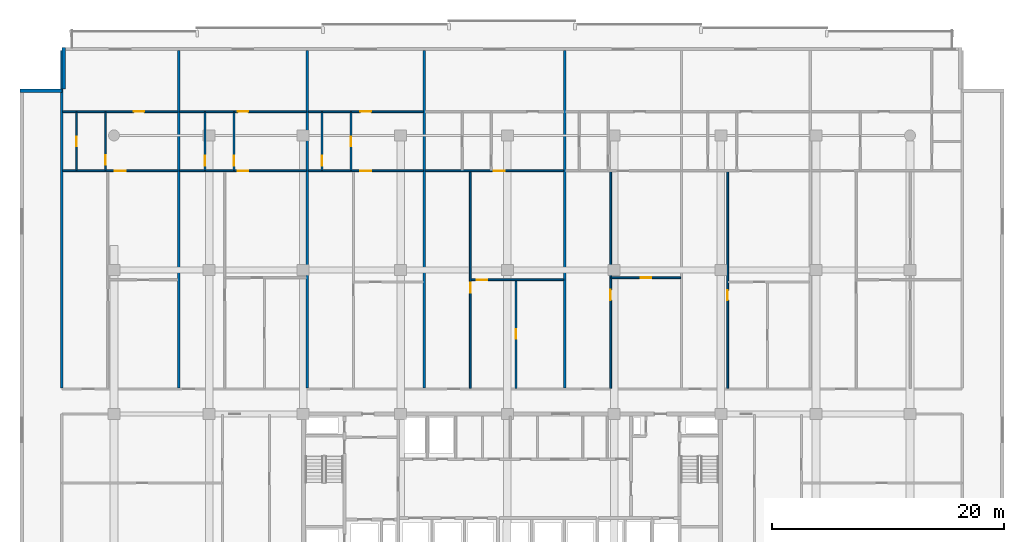
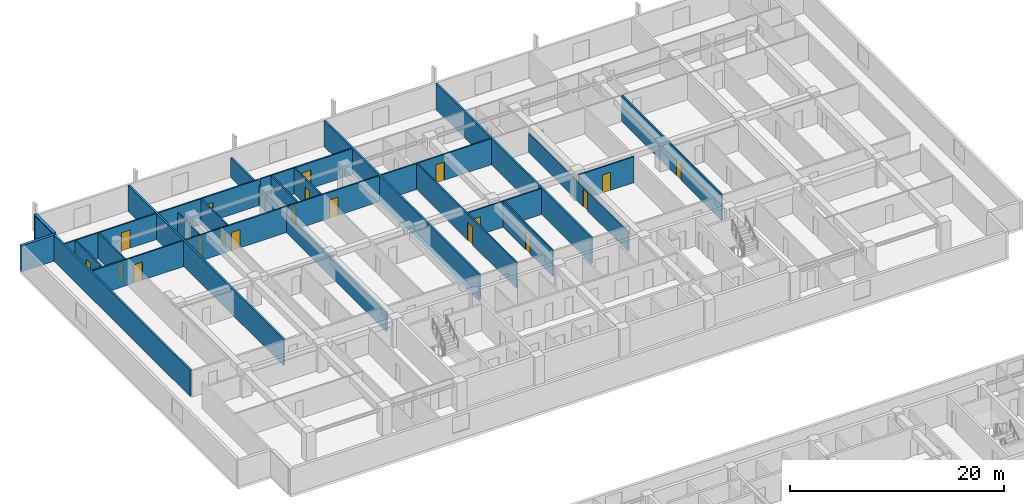
# One storey, part 14 of 23: 26 walls, 19 doors, 19 openings.
"""IFC4 building model written with IfcOpenShell, lengths in metres."""

from ifc_helpers import new_model, si_unit, direction, frame, frame_2d, origin, place, context, subcontext, project, spatial, rectangle, extrude, material, layer, layer_set, type_object, element, fill, save


model = new_model("IFC4")

# Units and contexts
model_context = context("Model", 3, precision=1e-05, world=origin(), true_north=direction((0.0, 1.0)))
body_context = subcontext(model_context, "Body", "Model", "MODEL_VIEW")
ifc_project = project(units=[si_unit("LENGTHUNIT", "METRE"), si_unit("AREAUNIT", "SQUARE_METRE"), si_unit("VOLUMEUNIT", "CUBIC_METRE"), si_unit("PLANEANGLEUNIT", "RADIAN"), si_unit("MASSUNIT", "GRAM", prefix="KILO")], contexts=[model_context])

# Site, building, storey
site_placement = place(None, origin())
site = spatial("IfcSite", under=ifc_project, at=site_placement, CompositionType="ELEMENT")
building_placement = place(site_placement, origin())
building = spatial("IfcBuilding", under=site, at=building_placement, Name="Korimba Cascade Residences", CompositionType="ELEMENT")
storey_placement = place(building_placement, frame((0.0, 0.0, 30.5)))
storey = spatial("IfcBuildingStorey", under=building, at=storey_placement, Name="L07", CompositionType="ELEMENT", Elevation=30.5)

# Walls
ifc_material_1 = material(Name="Precast concrete C40/50", Category="concrete")
ifc_layer_1 = layer(ifc_material_1, 0.300048828125)
ifc_layer_set_1 = layer_set([ifc_layer_1], Name="Precast concrete C40/50")
wall_type_1 = type_object("IfcWallType", Name="EW-STONE-300", PredefinedType="STANDARD", material=ifc_layer_set_1)
for number, where, z_axis, x_axis, name in (
    (1, (55.449951171875, 98.800048828125, 0.0), (0.0, 0.0, 1.0), (0.0, -1.0, 0.0), "L07 T1 Perimeter Stone Wall E07"),
    (2, (55.300048828125, 95.050048828125, 0.0), (0.0, 0.0, 1.0), (-1.0, 0.0, 0.0), "L07 T1 Perimeter Stone Wall E08"),
):
    element("IfcWall", number, at=place(storey_placement, frame(where, z_axis=z_axis, x_axis=x_axis)), inside=storey, type_object=wall_type_1, Name=name, PredefinedType="STANDARD", context=body_context, shape_type="SweptSolid", body=[
        extrude(rectangle(XDim=3.60009765625, YDim=0.300048828125, at=frame_2d((1.800048828125, 0.0))), origin(), (0.0, 0.0, 1.0), 2.969970703125),
    ])
ifc_layer_2 = layer(ifc_material_1, 0.199951171875)
ifc_layer_set_2 = layer_set([ifc_layer_2], Name="Precast concrete C40/50")
wall_type_2 = type_object("IfcWallType", Name="WAL-IT-200", PredefinedType="PARTITIONING", material=ifc_layer_set_2)
for number, where, z_axis, x_axis, name in (
    (3, (55.300048828125, 69.429931640625, 0.0), (0.0, 0.0, 1.0), (0.0, 1.0, 0.0), "L07 Partition Wall WAL-L07-T1-BNDWL"),
    (4, (65.3779296875, 69.429931640625, 0.0), (0.0, 0.0, 1.0), (0.0, 1.0, 0.0), "L07 Partition Wall WAL-L07-T1-DEM-1"),
):
    element("IfcWall", number, at=place(storey_placement, frame(where, z_axis=z_axis, x_axis=x_axis)), inside=storey, type_object=wall_type_2, Name=name, PredefinedType="PARTITIONING", context=body_context, shape_type="SweptSolid", body=[
        extrude(rectangle(XDim=29.070068359375, YDim=0.199951171875, at=frame_2d((14.53515625, 0.0))), origin(), (0.0, 0.0, 1.0), 2.969970703125),
    ])
wall_1_placement = place(storey_placement, frame((76.463623046875, 69.429931640625, 0.0), z_axis=(0.0, 0.0, 1.0), x_axis=(0.0, 1.0, 0.0)))
element("IfcWall", 5, at=wall_1_placement, inside=storey, type_object=wall_type_2, Name="L07 Partition Wall WAL-L07-T1-DEM-2", PredefinedType="PARTITIONING", context=body_context, shape_type="SweptSolid", body=[
    extrude(rectangle(XDim=29.070068359375, YDim=0.199951171875, at=frame_2d((14.53515625, 0.0))), origin(), (0.0, 0.0, 1.0), 2.219970703125),
])
for number, where, z_axis, x_axis, name in (
    (6, (86.54150390625, 69.429931640625, 0.0), (0.0, 0.0, 1.0), (0.0, 1.0, 0.0), "L07 Partition Wall WAL-L07-T1-DEM-3"),
    (7, (98.635009765625, 69.429931640625, 0.0), (0.0, 0.0, 1.0), (0.0, 1.0, 0.0), "L07 Partition Wall WAL-L07-T1-DEM-4"),
):
    element("IfcWall", number, at=place(storey_placement, frame(where, z_axis=z_axis, x_axis=x_axis)), inside=storey, type_object=wall_type_2, Name=name, PredefinedType="PARTITIONING", context=body_context, shape_type="SweptSolid", body=[
        extrude(rectangle(XDim=29.070068359375, YDim=0.199951171875, at=frame_2d((14.53515625, 0.0))), origin(), (0.0, 0.0, 1.0), 2.969970703125),
    ])

# Wall, opening, door
ifc_material_2 = material(Name="Insulated Acoustic Stud Partition", Category="gypsum")
ifc_layer_3 = layer(ifc_material_2, 0.14990234375)
ifc_layer_set_3 = layer_set([ifc_layer_3], Name="Insulated Acoustic Stud Partition")
wall_type_3 = type_object("IfcWallType", Name="WAL-PART-150", PredefinedType="PARTITIONING", material=ifc_layer_set_3)
wall_2_placement = place(storey_placement, frame((56.557861328125, 88.18994140625, 0.0), z_axis=(0.0, 0.0, 1.0), x_axis=(0.0, 1.0, 0.0)))
wall_2 = element("IfcWall", 8, at=wall_2_placement, inside=storey, type_object=wall_type_3, Name="L07 Partition Wall WAL-L07-T1-U01-CLS", PredefinedType="PARTITIONING", context=body_context, shape_type="SweptSolid", body=[
    extrude(rectangle(XDim=5.0, YDim=0.14990234375, at=frame_2d((2.5, 0.0))), origin(), (0.0, 0.0, 1.0), 2.969970703125),
])
opening_1_placement = place(wall_2_placement, frame((2.080078125, 0.0, 0.0)))
opening_1 = element("IfcOpeningElement", 9, at=opening_1_placement, cuts=wall_2, Name="Opening D-BT1", PredefinedType="OPENING", context=body_context, shape_type="SweptSolid", body=[
    extrude(rectangle(XDim=0.840087890625, YDim=2.0400390625, at=frame_2d((0.419921875, 1.02001953125))), frame((0.0, 0.0849609375, 0.0), z_axis=(0.0, -1.0, 0.0), x_axis=(1.0, 0.0, 0.0)), (0.0, 0.0, 1.0), 0.169921875),
])
ifc_material_3 = material(Name="Moisture-Resistant Bathroom Timber Door", Category="wood")
door_type_1 = type_object("IfcDoorType", Name="DR-INT-850", OperationType="NOTDEFINED", PredefinedType="DOOR", material=ifc_material_3)
door_1_placement = place(opening_1_placement, origin())
door_1 = element("IfcDoor", 10, at=door_1_placement, inside=storey, type_object=door_type_1, Name="L07-T1-U01 Closet Door", OperationType="SINGLE_SWING_RIGHT", OverallHeight=2.0400390625, OverallWidth=0.840087890625, PredefinedType="DOOR", context=body_context, shape_type="SweptSolid", body=[
    extrude(rectangle(XDim=0.840087890625, YDim=2.0400390625, at=frame_2d((0.419921875, 1.02001953125))), frame((0.0, 0.02490234375, 0.0), z_axis=(0.0, -1.0, 0.0), x_axis=(1.0, 0.0, 0.0)), (0.0, 0.0, 1.0), 0.050048828125),
])
fill(opening_1, door_1)

wall_3_placement = place(storey_placement, frame((59.057861328125, 88.18994140625, 0.0), z_axis=(0.0, 0.0, 1.0), x_axis=(0.0, 1.0, 0.0)))
wall_3 = element("IfcWall", 11, at=wall_3_placement, inside=storey, type_object=wall_type_3, Name="L07 Partition Wall WAL-L07-T1-U01-BM", PredefinedType="PARTITIONING", context=body_context, shape_type="SweptSolid", body=[
    extrude(rectangle(XDim=5.0, YDim=0.14990234375, at=frame_2d((2.5, 0.0))), origin(), (0.0, 0.0, 1.0), 2.969970703125),
])
opening_2_placement = place(wall_3_placement, frame((0.46728515625, 0.0, 0.0)))
opening_2 = element("IfcOpeningElement", 12, at=opening_2_placement, cuts=wall_3, Name="Opening D-BT1", PredefinedType="OPENING", context=body_context, shape_type="SweptSolid", body=[
    extrude(rectangle(XDim=0.840087890625, YDim=2.0400390625, at=frame_2d((0.419921875, 1.02001953125))), frame((0.0, 0.0849609375, 0.0), z_axis=(0.0, -1.0, 0.0), x_axis=(1.0, 0.0, 0.0)), (0.0, 0.0, 1.0), 0.169921875),
])
door_2_placement = place(opening_2_placement, origin())
door_2 = element("IfcDoor", 13, at=door_2_placement, inside=storey, type_object=door_type_1, Name="L07-T1-U01 Bathroom Door", OperationType="SINGLE_SWING_LEFT", OverallHeight=2.0400390625, OverallWidth=0.840087890625, PredefinedType="DOOR", context=body_context, shape_type="SweptSolid", body=[
    extrude(rectangle(XDim=0.840087890625, YDim=2.0400390625, at=frame_2d((0.419921875, 1.02001953125))), frame((0.0, 0.02490234375, 0.0), z_axis=(0.0, -1.0, 0.0), x_axis=(1.0, 0.0, 0.0)), (0.0, 0.0, 1.0), 0.050048828125),
])
fill(opening_2, door_2)

wall_4_placement = place(storey_placement, frame((55.3798828125, 88.14990234375, 0.0), z_axis=(0.0, 0.0, 1.0), x_axis=(1.0, 0.0, 0.0)))
wall_4 = element("IfcWall", 14, at=wall_4_placement, inside=storey, type_object=wall_type_3, Name="L07 Partition Wall WAL-L07-T1-U01-MW", PredefinedType="PARTITIONING", context=body_context, shape_type="SweptSolid", body=[
    extrude(rectangle(XDim=9.91796875, YDim=0.14990234375, at=frame_2d((4.958984375, 0.0))), origin(), (0.0, 0.0, 1.0), 2.969970703125),
])
opening_3_placement = place(wall_4_placement, frame((4.498779296875, 0.0, 0.0)))
opening_3 = element("IfcOpeningElement", 15, at=opening_3_placement, cuts=wall_4, Name="Opening D-IN1", PredefinedType="OPENING", context=body_context, shape_type="SweptSolid", body=[
    extrude(rectangle(XDim=0.919921875, YDim=2.080078125, at=frame_2d((0.4599609375, 1.0400390625))), frame((0.0, 0.0849609375, 0.0), z_axis=(0.0, -1.0, 0.0), x_axis=(1.0, 0.0, 0.0)), (0.0, 0.0, 1.0), 0.169921875),
])
ifc_material_4 = material(Name="Acoustic Timber Living Door", Category="wood")
door_type_2 = type_object("IfcDoorType", Name="DR-INT-920", OperationType="NOTDEFINED", PredefinedType="DOOR", material=ifc_material_4)
door_3_placement = place(opening_3_placement, origin())
door_3 = element("IfcDoor", 16, at=door_3_placement, inside=storey, type_object=door_type_2, Name="L07-T1-U01 Studio Kitchen Door", OperationType="SINGLE_SWING_RIGHT", OverallHeight=2.080078125, OverallWidth=0.919921875, PredefinedType="DOOR", context=body_context, shape_type="SweptSolid", body=[
    extrude(rectangle(XDim=0.919921875, YDim=2.080078125, at=frame_2d((0.4599609375, 1.0400390625))), frame((0.0, 0.02490234375, 0.0), z_axis=(0.0, -1.0, 0.0), x_axis=(1.0, 0.0, 0.0)), (0.0, 0.0, 1.0), 0.050048828125),
])
fill(opening_3, door_3)

wall_5_placement = place(storey_placement, frame((55.3798828125, 93.25, 0.0), z_axis=(0.0, 0.0, 1.0), x_axis=(1.0, 0.0, 0.0)))
wall_5 = element("IfcWall", 17, at=wall_5_placement, inside=storey, type_object=wall_type_3, Name="L07 Partition Wall WAL-L07-T1-U01-HZ", PredefinedType="PARTITIONING", context=body_context, shape_type="SweptSolid", body=[
    extrude(rectangle(XDim=9.91796875, YDim=0.14990234375, at=frame_2d((4.958984375, 0.0))), origin(), (0.0, 0.0, 1.0), 2.969970703125),
])
opening_4_placement = place(wall_5_placement, frame((6.126708984375, 0.0, 0.0)))
opening_4 = element("IfcOpeningElement", 18, at=opening_4_placement, cuts=wall_5, Name="Opening D-IN1", PredefinedType="OPENING", context=body_context, shape_type="SweptSolid", body=[
    extrude(rectangle(XDim=0.919921875, YDim=2.080078125, at=frame_2d((0.4599609375, 1.0400390625))), frame((0.0, 0.0849609375, 0.0), z_axis=(0.0, -1.0, 0.0), x_axis=(1.0, 0.0, 0.0)), (0.0, 0.0, 1.0), 0.169921875),
])
door_4_placement = place(opening_4_placement, origin())
door_4 = element("IfcDoor", 19, at=door_4_placement, inside=storey, type_object=door_type_2, Name="L07-T1-U01 Studio Door", OperationType="SINGLE_SWING_LEFT", OverallHeight=2.080078125, OverallWidth=0.919921875, PredefinedType="DOOR", context=body_context, shape_type="SweptSolid", body=[
    extrude(rectangle(XDim=0.919921875, YDim=2.080078125, at=frame_2d((0.4599609375, 1.0400390625))), frame((0.0, 0.02490234375, 0.0), z_axis=(0.0, -1.0, 0.0), x_axis=(1.0, 0.0, 0.0)), (0.0, 0.0, 1.0), 0.050048828125),
])
fill(opening_4, door_4)

wall_6_placement = place(storey_placement, frame((67.6435546875, 88.18994140625, 0.0), z_axis=(0.0, 0.0, 1.0), x_axis=(0.0, 1.0, 0.0)))
wall_6 = element("IfcWall", 20, at=wall_6_placement, inside=storey, type_object=wall_type_3, Name="L07 Partition Wall WAL-L07-T1-U02-CLS", PredefinedType="PARTITIONING", context=body_context, shape_type="SweptSolid", body=[
    extrude(rectangle(XDim=5.0, YDim=0.14990234375, at=frame_2d((2.5, 0.0))), origin(), (0.0, 0.0, 1.0), 2.219970703125),
])
opening_5_placement = place(wall_6_placement, frame((0.419189453125, 0.0, 0.0)))
opening_5 = element("IfcOpeningElement", 21, at=opening_5_placement, cuts=wall_6, Name="Opening D-BT1", PredefinedType="OPENING", context=body_context, shape_type="SweptSolid", body=[
    extrude(rectangle(XDim=0.840087890625, YDim=2.0400390625, at=frame_2d((0.419921875, 1.02001953125))), frame((0.0, 0.0849609375, 0.0), z_axis=(0.0, -1.0, 0.0), x_axis=(1.0, 0.0, 0.0)), (0.0, 0.0, 1.0), 0.169921875),
])
door_5_placement = place(opening_5_placement, origin())
door_5 = element("IfcDoor", 22, at=door_5_placement, inside=storey, type_object=door_type_1, Name="L07-T1-U02 Closet Door", OperationType="SINGLE_SWING_LEFT", OverallHeight=2.0400390625, OverallWidth=0.840087890625, PredefinedType="DOOR", context=body_context, shape_type="SweptSolid", body=[
    extrude(rectangle(XDim=0.840087890625, YDim=2.0400390625, at=frame_2d((0.419921875, 1.02001953125))), frame((0.0, 0.02490234375, 0.0), z_axis=(0.0, -1.0, 0.0), x_axis=(1.0, 0.0, 0.0)), (0.0, 0.0, 1.0), 0.050048828125),
])
fill(opening_5, door_5)

wall_7_placement = place(storey_placement, frame((70.1435546875, 88.18994140625, 0.0), z_axis=(0.0, 0.0, 1.0), x_axis=(0.0, 1.0, 0.0)))
wall_7 = element("IfcWall", 23, at=wall_7_placement, inside=storey, type_object=wall_type_3, Name="L07 Partition Wall WAL-L07-T1-U02-BM", PredefinedType="PARTITIONING", context=body_context, shape_type="SweptSolid", body=[
    extrude(rectangle(XDim=5.0, YDim=0.14990234375, at=frame_2d((2.5, 0.0))), origin(), (0.0, 0.0, 1.0), 2.969970703125),
])
opening_6_placement = place(wall_7_placement, frame((0.39990234375, 0.0, 0.0)))
opening_6 = element("IfcOpeningElement", 24, at=opening_6_placement, cuts=wall_7, Name="Opening D-BT1", PredefinedType="OPENING", context=body_context, shape_type="SweptSolid", body=[
    extrude(rectangle(XDim=0.840087890625, YDim=2.0400390625, at=frame_2d((0.419921875, 1.02001953125))), frame((0.0, 0.0849609375, 0.0), z_axis=(0.0, -1.0, 0.0), x_axis=(1.0, 0.0, 0.0)), (0.0, 0.0, 1.0), 0.169921875),
])
door_6_placement = place(opening_6_placement, origin())
door_6 = element("IfcDoor", 25, at=door_6_placement, inside=storey, type_object=door_type_1, Name="L07-T1-U02 Bathroom Door", OperationType="SINGLE_SWING_RIGHT", OverallHeight=2.0400390625, OverallWidth=0.840087890625, PredefinedType="DOOR", context=body_context, shape_type="SweptSolid", body=[
    extrude(rectangle(XDim=0.840087890625, YDim=2.0400390625, at=frame_2d((0.419921875, 1.02001953125))), frame((0.0, 0.02490234375, 0.0), z_axis=(0.0, -1.0, 0.0), x_axis=(1.0, 0.0, 0.0)), (0.0, 0.0, 1.0), 0.050048828125),
])
fill(opening_6, door_6)

wall_8_placement = place(storey_placement, frame((65.4580078125, 88.14990234375, 0.0), z_axis=(0.0, 0.0, 1.0), x_axis=(1.0, 0.0, 0.0)))
wall_8 = element("IfcWall", 26, at=wall_8_placement, inside=storey, type_object=wall_type_3, Name="L07 Partition Wall WAL-L07-T1-U02-MW", PredefinedType="PARTITIONING", context=body_context, shape_type="SweptSolid", body=[
    extrude(rectangle(XDim=10.925537109375, YDim=0.14990234375, at=frame_2d((5.462890625, 0.0))), origin(), (0.0, 0.0, 1.0), 2.969970703125),
])
opening_7_placement = place(wall_8_placement, frame((5.0029296875, 0.0, 0.0)))
opening_7 = element("IfcOpeningElement", 27, at=opening_7_placement, cuts=wall_8, Name="Opening D-IN1", PredefinedType="OPENING", context=body_context, shape_type="SweptSolid", body=[
    extrude(rectangle(XDim=0.919921875, YDim=2.080078125, at=frame_2d((0.4599609375, 1.0400390625))), frame((0.0, 0.0849609375, 0.0), z_axis=(0.0, -1.0, 0.0), x_axis=(1.0, 0.0, 0.0)), (0.0, 0.0, 1.0), 0.169921875),
])
door_7_placement = place(opening_7_placement, origin())
door_7 = element("IfcDoor", 28, at=door_7_placement, inside=storey, type_object=door_type_2, Name="L07-T1-U02 Studio Kitchen Door", OperationType="SINGLE_SWING_LEFT", OverallHeight=2.080078125, OverallWidth=0.919921875, PredefinedType="DOOR", context=body_context, shape_type="SweptSolid", body=[
    extrude(rectangle(XDim=0.919921875, YDim=2.080078125, at=frame_2d((0.4599609375, 1.0400390625))), frame((0.0, 0.02490234375, 0.0), z_axis=(0.0, -1.0, 0.0), x_axis=(1.0, 0.0, 0.0)), (0.0, 0.0, 1.0), 0.050048828125),
])
fill(opening_7, door_7)

wall_9_placement = place(storey_placement, frame((65.4580078125, 93.25, 0.0), z_axis=(0.0, 0.0, 1.0), x_axis=(1.0, 0.0, 0.0)))
wall_9 = element("IfcWall", 29, at=wall_9_placement, inside=storey, type_object=wall_type_3, Name="L07 Partition Wall WAL-L07-T1-U02-HZ", PredefinedType="PARTITIONING", context=body_context, shape_type="SweptSolid", body=[
    extrude(rectangle(XDim=10.925537109375, YDim=0.14990234375, at=frame_2d((5.462890625, 0.0))), origin(), (0.0, 0.0, 1.0), 2.969970703125),
])
opening_8_placement = place(wall_9_placement, frame((5.0029296875, 0.0, 0.0)))
opening_8 = element("IfcOpeningElement", 30, at=opening_8_placement, cuts=wall_9, Name="Opening D-IN1", PredefinedType="OPENING", context=body_context, shape_type="SweptSolid", body=[
    extrude(rectangle(XDim=0.919921875, YDim=2.080078125, at=frame_2d((0.4599609375, 1.0400390625))), frame((0.0, 0.0849609375, 0.0), z_axis=(0.0, -1.0, 0.0), x_axis=(1.0, 0.0, 0.0)), (0.0, 0.0, 1.0), 0.169921875),
])
door_8_placement = place(opening_8_placement, origin())
door_8 = element("IfcDoor", 31, at=door_8_placement, inside=storey, type_object=door_type_2, Name="L07-T1-U02 Studio Door", OperationType="SINGLE_SWING_RIGHT", OverallHeight=2.080078125, OverallWidth=0.919921875, PredefinedType="DOOR", context=body_context, shape_type="SweptSolid", body=[
    extrude(rectangle(XDim=0.919921875, YDim=2.080078125, at=frame_2d((0.4599609375, 1.0400390625))), frame((0.0, 0.02490234375, 0.0), z_axis=(0.0, -1.0, 0.0), x_axis=(1.0, 0.0, 0.0)), (0.0, 0.0, 1.0), 0.050048828125),
])
fill(opening_8, door_8)

wall_10_placement = place(storey_placement, frame((77.721435546875, 88.18994140625, 0.0), z_axis=(0.0, 0.0, 1.0), x_axis=(0.0, 1.0, 0.0)))
wall_10 = element("IfcWall", 32, at=wall_10_placement, inside=storey, type_object=wall_type_3, Name="L07 Partition Wall WAL-L07-T1-U03-CLS", PredefinedType="PARTITIONING", context=body_context, shape_type="SweptSolid", body=[
    extrude(rectangle(XDim=5.0, YDim=0.14990234375, at=frame_2d((2.5, 0.0))), origin(), (0.0, 0.0, 1.0), 2.969970703125),
])
opening_9_placement = place(wall_10_placement, frame((0.419189453125, 0.0, 0.0)))
opening_9 = element("IfcOpeningElement", 33, at=opening_9_placement, cuts=wall_10, Name="Opening D-BT1", PredefinedType="OPENING", context=body_context, shape_type="SweptSolid", body=[
    extrude(rectangle(XDim=0.840087890625, YDim=2.0400390625, at=frame_2d((0.419921875, 1.02001953125))), frame((0.0, 0.0849609375, 0.0), z_axis=(0.0, -1.0, 0.0), x_axis=(1.0, 0.0, 0.0)), (0.0, 0.0, 1.0), 0.169921875),
])
door_9_placement = place(opening_9_placement, origin())
door_9 = element("IfcDoor", 34, at=door_9_placement, inside=storey, type_object=door_type_1, Name="L07-T1-U03 Closet Door", OperationType="SINGLE_SWING_LEFT", OverallHeight=2.0400390625, OverallWidth=0.840087890625, PredefinedType="DOOR", context=body_context, shape_type="SweptSolid", body=[
    extrude(rectangle(XDim=0.840087890625, YDim=2.0400390625, at=frame_2d((0.419921875, 1.02001953125))), frame((0.0, 0.02490234375, 0.0), z_axis=(0.0, -1.0, 0.0), x_axis=(1.0, 0.0, 0.0)), (0.0, 0.0, 1.0), 0.050048828125),
])
fill(opening_9, door_9)

wall_11_placement = place(storey_placement, frame((80.221435546875, 88.18994140625, 0.0), z_axis=(0.0, 0.0, 1.0), x_axis=(0.0, 1.0, 0.0)))
wall_11 = element("IfcWall", 35, at=wall_11_placement, inside=storey, type_object=wall_type_3, Name="L07 Partition Wall WAL-L07-T1-U03-BM", PredefinedType="PARTITIONING", context=body_context, shape_type="SweptSolid", body=[
    extrude(rectangle(XDim=5.0, YDim=0.14990234375, at=frame_2d((2.5, 0.0))), origin(), (0.0, 0.0, 1.0), 2.969970703125),
])
opening_10_placement = place(wall_11_placement, frame((2.080078125, 0.0, 0.0)))
opening_10 = element("IfcOpeningElement", 36, at=opening_10_placement, cuts=wall_11, Name="Opening D-BT1", PredefinedType="OPENING", context=body_context, shape_type="SweptSolid", body=[
    extrude(rectangle(XDim=0.840087890625, YDim=2.0400390625, at=frame_2d((0.419921875, 1.02001953125))), frame((0.0, 0.0849609375, 0.0), z_axis=(0.0, -1.0, 0.0), x_axis=(1.0, 0.0, 0.0)), (0.0, 0.0, 1.0), 0.169921875),
])
door_10_placement = place(opening_10_placement, origin())
door_10 = element("IfcDoor", 37, at=door_10_placement, inside=storey, type_object=door_type_1, Name="L07-T1-U03 Bathroom Door", OperationType="SINGLE_SWING_RIGHT", OverallHeight=2.0400390625, OverallWidth=0.840087890625, PredefinedType="DOOR", context=body_context, shape_type="SweptSolid", body=[
    extrude(rectangle(XDim=0.840087890625, YDim=2.0400390625, at=frame_2d((0.419921875, 1.02001953125))), frame((0.0, 0.02490234375, 0.0), z_axis=(0.0, -1.0, 0.0), x_axis=(1.0, 0.0, 0.0)), (0.0, 0.0, 1.0), 0.050048828125),
])
fill(opening_10, door_10)

wall_12_placement = place(storey_placement, frame((76.543701171875, 88.14990234375, 0.0), z_axis=(0.0, 0.0, 1.0), x_axis=(1.0, 0.0, 0.0)))
wall_12 = element("IfcWall", 38, at=wall_12_placement, inside=storey, type_object=wall_type_3, Name="L07 Partition Wall WAL-L07-T1-U03-MW", PredefinedType="PARTITIONING", context=body_context, shape_type="SweptSolid", body=[
    extrude(rectangle(XDim=9.917724609375, YDim=0.14990234375, at=frame_2d((4.958984375, 0.0))), origin(), (0.0, 0.0, 1.0), 2.969970703125),
])
opening_11_placement = place(wall_12_placement, frame((4.4990234375, 0.0, 0.0)))
opening_11 = element("IfcOpeningElement", 39, at=opening_11_placement, cuts=wall_12, Name="Opening D-IN1", PredefinedType="OPENING", context=body_context, shape_type="SweptSolid", body=[
    extrude(rectangle(XDim=0.919921875, YDim=2.080078125, at=frame_2d((0.4599609375, 1.0400390625))), frame((0.0, 0.0849609375, 0.0), z_axis=(0.0, -1.0, 0.0), x_axis=(1.0, 0.0, 0.0)), (0.0, 0.0, 1.0), 0.169921875),
])
door_11_placement = place(opening_11_placement, origin())
door_11 = element("IfcDoor", 40, at=door_11_placement, inside=storey, type_object=door_type_2, Name="L07-T1-U03 Studio Kitchen Door", OperationType="SINGLE_SWING_LEFT", OverallHeight=2.080078125, OverallWidth=0.919921875, PredefinedType="DOOR", context=body_context, shape_type="SweptSolid", body=[
    extrude(rectangle(XDim=0.919921875, YDim=2.080078125, at=frame_2d((0.4599609375, 1.0400390625))), frame((0.0, 0.02490234375, 0.0), z_axis=(0.0, -1.0, 0.0), x_axis=(1.0, 0.0, 0.0)), (0.0, 0.0, 1.0), 0.050048828125),
])
fill(opening_11, door_11)

wall_13_placement = place(storey_placement, frame((76.543701171875, 93.25, 0.0), z_axis=(0.0, 0.0, 1.0), x_axis=(1.0, 0.0, 0.0)))
wall_13 = element("IfcWall", 41, at=wall_13_placement, inside=storey, type_object=wall_type_3, Name="L07 Partition Wall WAL-L07-T1-U03-HZ", PredefinedType="PARTITIONING", context=body_context, shape_type="SweptSolid", body=[
    extrude(rectangle(XDim=9.917724609375, YDim=0.14990234375, at=frame_2d((4.958984375, 0.0))), origin(), (0.0, 0.0, 1.0), 2.969970703125),
])
opening_12_placement = place(wall_13_placement, frame((4.4990234375, 0.0, 0.0)))
opening_12 = element("IfcOpeningElement", 42, at=opening_12_placement, cuts=wall_13, Name="Opening D-IN1", PredefinedType="OPENING", context=body_context, shape_type="SweptSolid", body=[
    extrude(rectangle(XDim=0.919921875, YDim=2.080078125, at=frame_2d((0.4599609375, 1.0400390625))), frame((0.0, 0.0849609375, 0.0), z_axis=(0.0, -1.0, 0.0), x_axis=(1.0, 0.0, 0.0)), (0.0, 0.0, 1.0), 0.169921875),
])
door_12_placement = place(opening_12_placement, origin())
door_12 = element("IfcDoor", 43, at=door_12_placement, inside=storey, type_object=door_type_2, Name="L07-T1-U03 Studio Door", OperationType="SINGLE_SWING_RIGHT", OverallHeight=2.080078125, OverallWidth=0.919921875, PredefinedType="DOOR", context=body_context, shape_type="SweptSolid", body=[
    extrude(rectangle(XDim=0.919921875, YDim=2.080078125, at=frame_2d((0.4599609375, 1.0400390625))), frame((0.0, 0.02490234375, 0.0), z_axis=(0.0, -1.0, 0.0), x_axis=(1.0, 0.0, 0.0)), (0.0, 0.0, 1.0), 0.050048828125),
])
fill(opening_12, door_12)

wall_14_placement = place(storey_placement, frame((94.443115234375, 69.409912109375, 0.0), z_axis=(0.0, 0.0, 1.0), x_axis=(0.0, 1.0, 0.0)))
wall_14 = element("IfcWall", 44, at=wall_14_placement, inside=storey, type_object=wall_type_3, Name="L07 Partition Wall WAL-L07-T1-U04-FMV", PredefinedType="PARTITIONING", context=body_context, shape_type="SweptSolid", body=[
    extrude(rectangle(XDim=9.35009765625, YDim=0.14990234375, at=frame_2d((4.675048828125, 0.0))), origin(), (0.0, 0.0, 1.0), 2.969970703125),
])
opening_13_placement = place(wall_14_placement, frame((4.2548828125, 0.0, 0.0)))
opening_13 = element("IfcOpeningElement", 45, at=opening_13_placement, cuts=wall_14, Name="Opening D-BT1", PredefinedType="OPENING", context=body_context, shape_type="SweptSolid", body=[
    extrude(rectangle(XDim=0.840087890625, YDim=2.0400390625, at=frame_2d((0.419921875, 1.02001953125))), frame((0.0, 0.0849609375, 0.0), z_axis=(0.0, -1.0, 0.0), x_axis=(1.0, 0.0, 0.0)), (0.0, 0.0, 1.0), 0.169921875),
])
door_13_placement = place(opening_13_placement, origin())
door_13 = element("IfcDoor", 46, at=door_13_placement, inside=storey, type_object=door_type_1, Name="L07-T1-U04 Wardrobe Door", OperationType="SINGLE_SWING_LEFT", OverallHeight=2.0400390625, OverallWidth=0.840087890625, PredefinedType="DOOR", context=body_context, shape_type="SweptSolid", body=[
    extrude(rectangle(XDim=0.840087890625, YDim=2.0400390625, at=frame_2d((0.419921875, 1.02001953125))), frame((0.0, 0.02490234375, 0.0), z_axis=(0.0, -1.0, 0.0), x_axis=(1.0, 0.0, 0.0)), (0.0, 0.0, 1.0), 0.050048828125),
])
fill(opening_13, door_13)

wall_15_placement = place(storey_placement, frame((90.571533203125, 78.760009765625, 0.0), z_axis=(0.0, 0.0, 1.0), x_axis=(1.0, 0.0, 0.0)))
wall_15 = element("IfcWall", 47, at=wall_15_placement, inside=storey, type_object=wall_type_3, Name="L07 Partition Wall WAL-L07-T1-U04-FMH", PredefinedType="PARTITIONING", context=body_context, shape_type="SweptSolid", body=[
    extrude(rectangle(XDim=7.9833984375, YDim=0.14990234375, at=frame_2d((3.99169921875, 0.0))), origin(), (0.0, 0.0, 1.0), 2.969970703125),
])
opening_14_placement = place(wall_15_placement, frame((0.495361328125, 0.0, 0.0)))
opening_14 = element("IfcOpeningElement", 48, at=opening_14_placement, cuts=wall_15, Name="Opening D-IN2", PredefinedType="OPENING", context=body_context, shape_type="SweptSolid", body=[
    extrude(rectangle(XDim=0.8798828125, YDim=2.06005859375, at=frame_2d((0.43994140625, 1.030029296875))), frame((0.0, 0.0849609375, 0.0), z_axis=(0.0, -1.0, 0.0), x_axis=(1.0, 0.0, 0.0)), (0.0, 0.0, 1.0), 0.169921875),
])
ifc_material_5 = material(Name="Acoustic Timber Bedroom Door", Category="wood")
door_type_3 = type_object("IfcDoorType", Name="DR-INT-880", OperationType="NOTDEFINED", PredefinedType="DOOR", material=ifc_material_5)
door_14_placement = place(opening_14_placement, origin())
door_14 = element("IfcDoor", 49, at=door_14_placement, inside=storey, type_object=door_type_3, Name="L07-T1-U04 Library Salon Door", OperationType="SINGLE_SWING_RIGHT", OverallHeight=2.06005859375, OverallWidth=0.8798828125, PredefinedType="DOOR", context=body_context, shape_type="SweptSolid", body=[
    extrude(rectangle(XDim=0.8798828125, YDim=2.06005859375, at=frame_2d((0.43994140625, 1.030029296875))), frame((0.0, 0.02490234375, 0.0), z_axis=(0.0, -1.0, 0.0), x_axis=(1.0, 0.0, 0.0)), (0.0, 0.0, 1.0), 0.050048828125),
])
fill(opening_14, door_14)

wall_16_placement = place(storey_placement, frame((90.511474609375, 69.409912109375, 0.0), z_axis=(0.0, 0.0, 1.0), x_axis=(0.0, 1.0, 0.0)))
wall_16 = element("IfcWall", 50, at=wall_16_placement, inside=storey, type_object=wall_type_3, Name="L07 Partition Wall WAL-L07-T1-U04-FV", PredefinedType="PARTITIONING", context=body_context, shape_type="SweptSolid", body=[
    extrude(rectangle(XDim=18.7001953125, YDim=0.14990234375, at=frame_2d((9.35009765625, 0.0))), origin(), (0.0, 0.0, 1.0), 2.969970703125),
])
opening_15_placement = place(wall_16_placement, frame((8.219970703125, 0.0, 0.0)))
opening_15 = element("IfcOpeningElement", 51, at=opening_15_placement, cuts=wall_16, Name="Opening D-IN2", PredefinedType="OPENING", context=body_context, shape_type="SweptSolid", body=[
    extrude(rectangle(XDim=0.8798828125, YDim=2.06005859375, at=frame_2d((0.43994140625, 1.030029296875))), frame((0.0, 0.0849609375, 0.0), z_axis=(0.0, -1.0, 0.0), x_axis=(1.0, 0.0, 0.0)), (0.0, 0.0, 1.0), 0.169921875),
])
door_15_placement = place(opening_15_placement, origin())
door_15 = element("IfcDoor", 52, at=door_15_placement, inside=storey, type_object=door_type_3, Name="L07-T1-U04 Media Lounge Door", OperationType="SINGLE_SWING_LEFT", OverallHeight=2.06005859375, OverallWidth=0.8798828125, PredefinedType="DOOR", context=body_context, shape_type="SweptSolid", body=[
    extrude(rectangle(XDim=0.8798828125, YDim=2.06005859375, at=frame_2d((0.43994140625, 1.030029296875))), frame((0.0, 0.02490234375, 0.0), z_axis=(0.0, -1.0, 0.0), x_axis=(1.0, 0.0, 0.0)), (0.0, 0.0, 1.0), 0.050048828125),
])
fill(opening_15, door_15)

wall_17_placement = place(storey_placement, frame((86.62158203125, 88.14990234375, 0.0), z_axis=(0.0, 0.0, 1.0), x_axis=(1.0, 0.0, 0.0)))
wall_17 = element("IfcWall", 53, at=wall_17_placement, inside=storey, type_object=wall_type_3, Name="L07 Partition Wall WAL-L07-T1-U04-MW", PredefinedType="PARTITIONING", context=body_context, shape_type="SweptSolid", body=[
    extrude(rectangle(XDim=11.933349609375, YDim=0.14990234375, at=frame_2d((5.966796875, 0.0))), origin(), (0.0, 0.0, 1.0), 2.969970703125),
])
opening_16_placement = place(wall_17_placement, frame((5.91357421875, 0.0, 0.0)))
opening_16 = element("IfcOpeningElement", 54, at=opening_16_placement, cuts=wall_17, Name="Opening D-IN1", PredefinedType="OPENING", context=body_context, shape_type="SweptSolid", body=[
    extrude(rectangle(XDim=0.919921875, YDim=2.080078125, at=frame_2d((0.4599609375, 1.0400390625))), frame((0.0, 0.0849609375, 0.0), z_axis=(0.0, -1.0, 0.0), x_axis=(1.0, 0.0, 0.0)), (0.0, 0.0, 1.0), 0.169921875),
])
door_16_placement = place(opening_16_placement, origin())
door_16 = element("IfcDoor", 55, at=door_16_placement, inside=storey, type_object=door_type_2, Name="L07-T1-U04 Studio Kitchen Door", OperationType="SINGLE_SWING_RIGHT", OverallHeight=2.080078125, OverallWidth=0.919921875, PredefinedType="DOOR", context=body_context, shape_type="SweptSolid", body=[
    extrude(rectangle(XDim=0.919921875, YDim=2.080078125, at=frame_2d((0.4599609375, 1.0400390625))), frame((0.0, 0.02490234375, 0.0), z_axis=(0.0, -1.0, 0.0), x_axis=(1.0, 0.0, 0.0)), (0.0, 0.0, 1.0), 0.050048828125),
])
fill(opening_16, door_16)

wall_18_placement = place(storey_placement, frame((102.6650390625, 78.93994140625, 0.0), z_axis=(0.0, 0.0, 1.0), x_axis=(1.0, 0.0, 0.0)))
wall_18 = element("IfcWall", 56, at=wall_18_placement, inside=storey, type_object=wall_type_3, Name="L07 Partition Wall WAL-L07-T1-U05-FMH", PredefinedType="PARTITIONING", context=body_context, shape_type="SweptSolid", body=[
    extrude(rectangle(XDim=5.9677734375, YDim=0.14990234375, at=frame_2d((2.98388671875, 0.0))), origin(), (0.0, 0.0, 1.0), 2.969970703125),
])
opening_17_placement = place(wall_18_placement, frame((2.5439453125, 0.0, 0.0)))
opening_17 = element("IfcOpeningElement", 57, at=opening_17_placement, cuts=wall_18, Name="Opening D-IN2", PredefinedType="OPENING", context=body_context, shape_type="SweptSolid", body=[
    extrude(rectangle(XDim=0.8798828125, YDim=2.06005859375, at=frame_2d((0.43994140625, 1.030029296875))), frame((0.0, 0.0849609375, 0.0), z_axis=(0.0, -1.0, 0.0), x_axis=(1.0, 0.0, 0.0)), (0.0, 0.0, 1.0), 0.169921875),
])
door_17_placement = place(opening_17_placement, origin())
door_17 = element("IfcDoor", 58, at=door_17_placement, inside=storey, type_object=door_type_3, Name="L07-T1-U05 Library Salon Door", OperationType="SINGLE_SWING_RIGHT", OverallHeight=2.06005859375, OverallWidth=0.8798828125, PredefinedType="DOOR", context=body_context, shape_type="SweptSolid", body=[
    extrude(rectangle(XDim=0.8798828125, YDim=2.06005859375, at=frame_2d((0.43994140625, 1.030029296875))), frame((0.0, 0.02490234375, 0.0), z_axis=(0.0, -1.0, 0.0), x_axis=(1.0, 0.0, 0.0)), (0.0, 0.0, 1.0), 0.050048828125),
])
fill(opening_17, door_17)

wall_19_placement = place(storey_placement, frame((102.60498046875, 69.409912109375, 0.0), z_axis=(0.0, 0.0, 1.0), x_axis=(0.0, 1.0, 0.0)))
wall_19 = element("IfcWall", 59, at=wall_19_placement, inside=storey, type_object=wall_type_3, Name="L07 Partition Wall WAL-L07-T1-U05-FV", PredefinedType="PARTITIONING", context=body_context, shape_type="SweptSolid", body=[
    extrude(rectangle(XDim=18.7001953125, YDim=0.14990234375, at=frame_2d((9.35009765625, 0.0))), origin(), (0.0, 0.0, 1.0), 2.219970703125),
])
opening_18_placement = place(wall_19_placement, frame((7.594970703125, 0.0, 0.0)))
opening_18 = element("IfcOpeningElement", 60, at=opening_18_placement, cuts=wall_19, Name="Opening D-IN2", PredefinedType="OPENING", context=body_context, shape_type="SweptSolid", body=[
    extrude(rectangle(XDim=0.8798828125, YDim=2.06005859375, at=frame_2d((0.43994140625, 1.030029296875))), frame((0.0, 0.0849609375, 0.0), z_axis=(0.0, -1.0, 0.0), x_axis=(1.0, 0.0, 0.0)), (0.0, 0.0, 1.0), 0.169921875),
])
door_18_placement = place(opening_18_placement, origin())
door_18 = element("IfcDoor", 61, at=door_18_placement, inside=storey, type_object=door_type_3, Name="L07-T1-U05 Media Lounge Door", OperationType="SINGLE_SWING_LEFT", OverallHeight=2.06005859375, OverallWidth=0.8798828125, PredefinedType="DOOR", context=body_context, shape_type="SweptSolid", body=[
    extrude(rectangle(XDim=0.8798828125, YDim=2.06005859375, at=frame_2d((0.43994140625, 1.030029296875))), frame((0.0, 0.02490234375, 0.0), z_axis=(0.0, -1.0, 0.0), x_axis=(1.0, 0.0, 0.0)), (0.0, 0.0, 1.0), 0.050048828125),
])
fill(opening_18, door_18)

wall_20_placement = place(storey_placement, frame((112.682861328125, 69.409912109375, 0.0), z_axis=(0.0, 0.0, 1.0), x_axis=(0.0, 1.0, 0.0)))
wall_20 = element("IfcWall", 62, at=wall_20_placement, inside=storey, type_object=wall_type_3, Name="L07 Partition Wall WAL-L07-T1-U06-FV", PredefinedType="PARTITIONING", context=body_context, shape_type="SweptSolid", body=[
    extrude(rectangle(XDim=18.7001953125, YDim=0.14990234375, at=frame_2d((9.35009765625, 0.0))), origin(), (0.0, 0.0, 1.0), 2.969970703125),
])
opening_19_placement = place(wall_20_placement, frame((7.57861328125, 0.0, 0.0)))
opening_19 = element("IfcOpeningElement", 63, at=opening_19_placement, cuts=wall_20, Name="Opening D-IN2", PredefinedType="OPENING", context=body_context, shape_type="SweptSolid", body=[
    extrude(rectangle(XDim=0.8798828125, YDim=2.06005859375, at=frame_2d((0.43994140625, 1.030029296875))), frame((0.0, 0.0849609375, 0.0), z_axis=(0.0, -1.0, 0.0), x_axis=(1.0, 0.0, 0.0)), (0.0, 0.0, 1.0), 0.169921875),
])
door_19_placement = place(opening_19_placement, origin())
door_19 = element("IfcDoor", 64, at=door_19_placement, inside=storey, type_object=door_type_3, Name="L07-T1-U06 Media Lounge Door", OperationType="SINGLE_SWING_RIGHT", OverallHeight=2.06005859375, OverallWidth=0.8798828125, PredefinedType="DOOR", context=body_context, shape_type="SweptSolid", body=[
    extrude(rectangle(XDim=0.8798828125, YDim=2.06005859375, at=frame_2d((0.43994140625, 1.030029296875))), frame((0.0, 0.02490234375, 0.0), z_axis=(0.0, -1.0, 0.0), x_axis=(1.0, 0.0, 0.0)), (0.0, 0.0, 1.0), 0.050048828125),
])
fill(opening_19, door_19)

save(model, "model.ifc")
